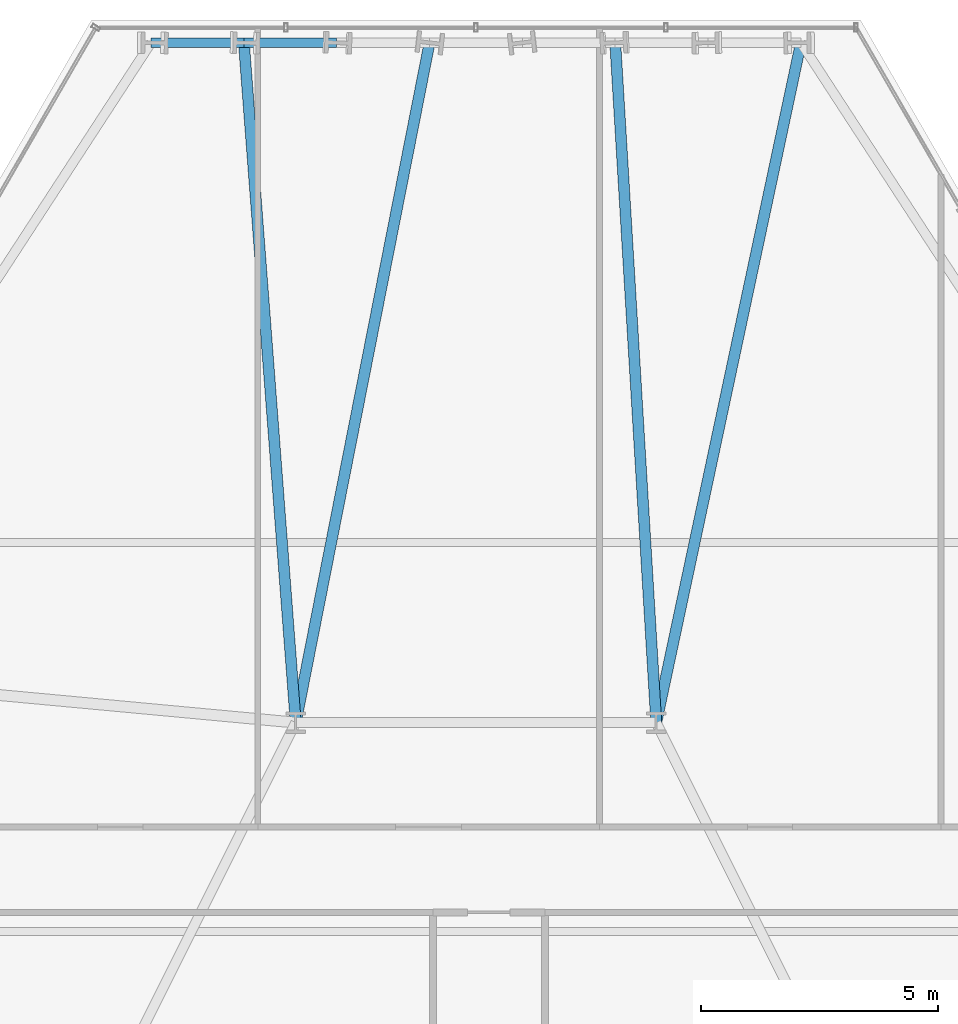
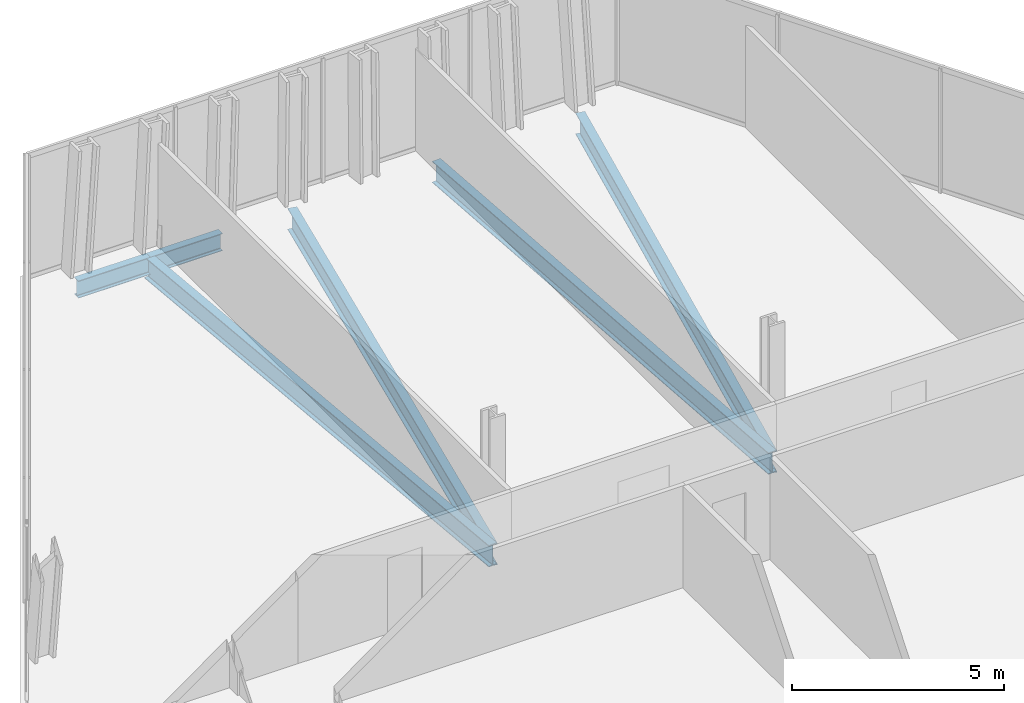
# One storey, part 21 of 32: 6 beams.
"""IFC4 building model written with IfcOpenShell, lengths in metres."""

import ifcopenshell
import ifcopenshell.guid

model = None  # the IFC model being written
_history = None  # IfcOwnerHistory: only IFC2X3 demands one
_inside = {}  # id of a spatial element -> (the spatial element, [elements in it])
_under = {}  # id of a project, library or spatial element -> (it, [spatial elements below it])
_declared = {}  # id of a project -> (the project, [libraries it declares])
_typed = {}  # id of a type object -> (the type object, [elements of that type])
_made_of = {}  # id of a material, layer set ... -> (it, [elements and type objects made of it])


def new_model(schema):
    """Start an empty IFC model of exactly this schema.

    Asked for "IFC4X3", IfcOpenShell would pick the latest addendum, in which some entities
    have other attributes; the version numbers below select the first issue.
    IFC2X3 requires an IfcOwnerHistory on every rooted entity: one is made here for all.
    """
    global model, _history
    if schema == "IFC4X3":
        model = ifcopenshell.file(schema_version=(4, 3, 0, 0))
    else:
        model = ifcopenshell.file(schema=schema)
    _inside.clear()
    _under.clear()
    _declared.clear()
    _typed.clear()
    _made_of.clear()
    _history = None
    if model.schema == "IFC2X3":
        org = make("IfcOrganization", Name="unknown")
        user = make(
            "IfcPersonAndOrganization",
            ThePerson=make("IfcPerson", FamilyName="unknown"),
            TheOrganization=org,
        )
        app = make(
            "IfcApplication",
            ApplicationDeveloper=org,
            Version="unknown",
            ApplicationFullName="unknown",
            ApplicationIdentifier="unknown",
        )
        _history = make(
            "IfcOwnerHistory",
            OwningUser=user,
            OwningApplication=app,
            ChangeAction="ADDED",
            CreationDate=0,
        )
    return model


def make(cls, **values):
    """One entity of the class cls with the attributes given. An attribute that is None is left unset."""
    return model.create_entity(
        cls, **{name: value for name, value in values.items() if value is not None}
    )


def rooted(cls, **values):
    """An entity with a GlobalId (a new one), such as an element, a storey or a relation."""
    return make(cls, GlobalId=ifcopenshell.guid.new(), OwnerHistory=_history, **values)


def si_unit(unit_type, name, prefix=None):
    """IfcSIUnit, for example si_unit("LENGTHUNIT", "METRE", prefix="MILLI")."""
    return make("IfcSIUnit", UnitType=unit_type, Prefix=prefix, Name=name)


def assignment(units):
    """IfcUnitAssignment: the units of a project."""
    return None if units is None else make("IfcUnitAssignment", Units=units)


def point(xyz):
    """IfcCartesianPoint."""
    return None if xyz is None else make("IfcCartesianPoint", Coordinates=xyz)


def direction(xyz):
    """IfcDirection."""
    return None if xyz is None else make("IfcDirection", DirectionRatios=xyz)


def frame(location, z_axis=None, x_axis=None):
    """IfcAxis2Placement3D, a coordinate frame: its origin and axes. An axis left out is left unset."""
    return make(
        "IfcAxis2Placement3D",
        Location=point(location),
        Axis=direction(z_axis),
        RefDirection=direction(x_axis),
    )


def frame_2d(location, x_axis=None):
    """IfcAxis2Placement2D, a coordinate frame in the plane: its origin and x axis."""
    return make(
        "IfcAxis2Placement2D", Location=point(location), RefDirection=direction(x_axis)
    )


def origin():
    """The frame at (0, 0, 0) with its axes left unset."""
    return frame((0.0, 0.0, 0.0))


def origin_2d():
    """The frame at (0, 0) in the plane with its x axis left unset."""
    return frame_2d((0.0, 0.0))


def place(relative_to, where):
    """IfcLocalPlacement: puts the frame where relative to a parent placement (None: the world)."""
    return make(
        "IfcLocalPlacement", PlacementRelTo=relative_to, RelativePlacement=where
    )


def context(
    kind, dimensions, precision=None, world=None, true_north=None, identifier=None
):
    """IfcGeometricRepresentationContext, for example the 3D "Model" context."""
    return make(
        "IfcGeometricRepresentationContext",
        ContextIdentifier=identifier,
        ContextType=kind,
        CoordinateSpaceDimension=dimensions,
        Precision=precision,
        WorldCoordinateSystem=world,
        TrueNorth=true_north,
    )


def subcontext(parent, identifier, kind, view, scale=None):
    """IfcGeometricRepresentationSubContext, for example "Body" below "Model"."""
    return make(
        "IfcGeometricRepresentationSubContext",
        ContextIdentifier=identifier,
        ContextType=kind,
        ParentContext=parent,
        TargetScale=scale,
        TargetView=view,
    )


def project(units=None, contexts=None):
    """IfcProject with its units and contexts."""
    return rooted(
        "IfcProject",
        Name="project",
        RepresentationContexts=contexts,
        UnitsInContext=assignment(units),
    )


def spatial(cls, under=None, at=None, **own):
    """A site, building, storey or space (cls), placed at a placement, below another one or the project."""
    s = rooted(cls, ObjectPlacement=at, **own)
    if under is not None:
        _under.setdefault(under.id(), (under, []))[1].append(s)
    return s


def profile(cls, at=None, kind="AREA", **sizes):
    """A parametric profile (cls). Its sizes go by their IFC names, for example OverallWidth=200.0."""
    return make(cls, ProfileType=kind, Position=at, **sizes)


def i_section(**sizes):
    """IfcIShapeProfileDef."""
    return profile("IfcIShapeProfileDef", **sizes)


def extrude(swept, where, along, depth):
    """IfcExtrudedAreaSolid: the profile swept, set in the frame where, extruded along a direction by depth."""
    return make(
        "IfcExtrudedAreaSolid",
        SweptArea=swept,
        Position=where,
        ExtrudedDirection=direction(along),
        Depth=depth,
    )


def shape(context_of_items, identifier, shape_type, items):
    """IfcShapeRepresentation: the items that make up one representation, for example the "Body"."""
    return make(
        "IfcShapeRepresentation",
        ContextOfItems=context_of_items,
        RepresentationIdentifier=identifier,
        RepresentationType=shape_type,
        Items=items,
    )


def material(Name=None, Category=None):
    """IfcMaterial."""
    return make("IfcMaterial", Name=Name, Category=Category)


def material_profile(
    of_material, cross_section, Name=None, Category=None, Priority=None
):
    """IfcMaterialProfile: a cross section and its material."""
    return make(
        "IfcMaterialProfile",
        Name=Name,
        Material=of_material,
        Profile=cross_section,
        Priority=Priority,
        Category=Category,
    )


def profile_set(profiles, Name=None, composite=None):
    """IfcMaterialProfileSet."""
    return make(
        "IfcMaterialProfileSet",
        Name=Name,
        MaterialProfiles=profiles,
        CompositeProfile=composite,
    )


def made_of(thing, what):
    """Note that an element or type object is made of a material, layer set ...; save() writes the relation."""
    if what is not None:
        _made_of.setdefault(what.id(), (what, []))[1].append(thing)
    return thing


def type_object(cls, material=None, **own):
    """A type object (cls), such as IfcWallType, which elements share."""
    return made_of(rooted(cls, **own), material)


def element(
    cls,
    number,
    at=None,
    inside=None,
    cuts=None,
    type_object=None,
    material=None,
    context=None,
    identifier="Body",
    shape_type=None,
    held_by="IfcProductDefinitionShape",
    body=None,
    shapes=None,
    **own,
):
    """One element of the class cls, such as IfcWall. Its Tag is "e" and its number.

    at: its placement. inside: the storey or other place that contains it. cuts: it is an
    opening in that element (IfcRelVoidsElement). A single representation is given by context,
    identifier, shape_type and body (its items); several are given by shapes. held_by: the class
    of the entity that holds the representations. save() writes the other relations.
    """
    e = rooted(cls, Tag="e%d" % number, ObjectPlacement=at, **own)
    if body is not None:
        shapes = [shape(context, identifier, shape_type, body)]
    if shapes is not None:
        e.Representation = make(held_by, Representations=shapes)
    if inside is not None:
        _inside.setdefault(inside.id(), (inside, []))[1].append(e)
    if cuts is not None:
        rooted(
            "IfcRelVoidsElement", RelatingBuildingElement=cuts, RelatedOpeningElement=e
        )
    if type_object is not None:
        _typed.setdefault(type_object.id(), (type_object, []))[1].append(e)
    return made_of(e, material)


def aggregate(whole, parts):
    """IfcRelAggregates: a whole, such as a stair, and the parts it consists of."""
    return rooted("IfcRelAggregates", RelatingObject=whole, RelatedObjects=parts)


def save(model, path):
    """Write the relations noted so far, then the file.

    IfcRelAggregates (storeys below a building ...), IfcRelContainedInSpatialStructure (elements
    in a storey), IfcRelDefinesByType, IfcRelAssociatesMaterial and IfcRelDeclares: one each for
    every whole, place, type object, material and project.
    """
    for whole, parts in _under.values():
        aggregate(whole, parts)
    for where, things in _inside.values():
        rooted(
            "IfcRelContainedInSpatialStructure",
            RelatedElements=things,
            RelatingStructure=where,
        )
    for kind, things in _typed.values():
        rooted("IfcRelDefinesByType", RelatedObjects=things, RelatingType=kind)
    for what, things in _made_of.values():
        rooted("IfcRelAssociatesMaterial", RelatedObjects=things, RelatingMaterial=what)
    for by, libraries in _declared.values():
        rooted("IfcRelDeclares", RelatingContext=by, RelatedDefinitions=libraries)
    model.write(path)


model = new_model("IFC4")

# Units and contexts
model_context = context("Model", 3, precision=1e-05, world=origin(), true_north=direction((0.0, 1.0)))
body_context = subcontext(model_context, "Body", "Model", "MODEL_VIEW")
ifc_project = project(units=[si_unit("LENGTHUNIT", "METRE"), si_unit("AREAUNIT", "SQUARE_METRE"), si_unit("VOLUMEUNIT", "CUBIC_METRE"), si_unit("PLANEANGLEUNIT", "RADIAN"), si_unit("MASSUNIT", "GRAM", prefix="KILO")], contexts=[model_context])

# Site, building, storey
site_placement = place(None, origin())
site = spatial("IfcSite", under=ifc_project, at=site_placement, CompositionType="ELEMENT")
building_placement = place(site_placement, origin())
building = spatial("IfcBuilding", under=site, at=building_placement, Name="Ndaravel Arena Tower", CompositionType="ELEMENT")
storey_placement = place(building_placement, frame((0.0, 0.0, 55.0)))
storey = spatial("IfcBuildingStorey", under=building, at=storey_placement, Name="L11", CompositionType="ELEMENT", Elevation=55.0)

# Beams
ifc_material_1 = material(Name="Steel S355", Category="steel")
ifc_material_profile_1 = material_profile(ifc_material_1, i_section(OverallWidth=0.230224609375, OverallDepth=0.6171875, WebThickness=0.01318359375, FlangeThickness=0.022216796875, FilletRadius=0.0126953125, at=origin_2d()), Name="UB 610x229x140")
ifc_profile_set_1 = profile_set([ifc_material_profile_1], Name="Steel S355")
beam_type_1 = type_object("IfcBeamType", Name="BM-GIRD-UB610B", PredefinedType="BEAM", material=ifc_profile_set_1)
beam_1_placement = place(storey_placement, frame((48.85009765625, 45.531494140625, -0.528564453125), z_axis=(-0.208158857039, -0.978095031291, 0.0), x_axis=(0.978095031291, -0.208158857039, 0.0)))
element("IfcBeam", 1, at=beam_1_placement, inside=storey, type_object=beam_type_1, Name="L11 Radial Floor Girder FG-11", PredefinedType="BEAM", context=body_context, shape_type="SweptSolid", body=[
    extrude(i_section(OverallWidth=0.230224609375, OverallDepth=0.6171875, WebThickness=0.01318359375, FlangeThickness=0.022216796875, FilletRadius=0.0126953125, at=origin_2d()), origin(), (0.0, 0.0, 1.0), 14.652587890625),
])
beam_2_placement = place(storey_placement, frame((44.935791015625, 45.531494140625, -0.528564453125), z_axis=(0.060195234309, -0.998186622715, 0.0), x_axis=(0.998186622715, 0.060195234309, 0.0)))
element("IfcBeam", 2, at=beam_2_placement, inside=storey, type_object=beam_type_1, Name="L11 Radial Floor Girder FG-13", PredefinedType="BEAM", context=body_context, shape_type="SweptSolid", body=[
    extrude(i_section(OverallWidth=0.230224609375, OverallDepth=0.6171875, WebThickness=0.01318359375, FlangeThickness=0.022216796875, FilletRadius=0.0126953125, at=origin_2d()), origin(), (0.0, 0.0, 1.0), 14.357666015625),
])
beam_3_placement = place(storey_placement, frame((41.021484375, 45.531494140625, -0.528564453125), z_axis=(-0.193167737889, -0.981165747995, 0.0), x_axis=(0.981165747995, -0.193167737889, 0.0)))
element("IfcBeam", 3, at=beam_3_placement, inside=storey, type_object=beam_type_1, Name="L11 Radial Floor Girder FG-15", PredefinedType="BEAM", context=body_context, shape_type="SweptSolid", body=[
    extrude(i_section(OverallWidth=0.230224609375, OverallDepth=0.6171875, WebThickness=0.01318359375, FlangeThickness=0.022216796875, FilletRadius=0.0126953125, at=origin_2d()), origin(), (0.0, 0.0, 1.0), 14.606689453125),
])
beam_4_placement = place(storey_placement, frame((37.107177734375, 45.531494140625, -0.528564453125), z_axis=(0.07602883636, -0.997105619301, 0.0), x_axis=(0.997105619301, 0.07602883636, 0.0)))
element("IfcBeam", 4, at=beam_4_placement, inside=storey, type_object=beam_type_1, Name="L11 Radial Floor Girder FG-17", PredefinedType="BEAM", context=body_context, shape_type="SweptSolid", body=[
    extrude(i_section(OverallWidth=0.230224609375, OverallDepth=0.6171875, WebThickness=0.01318359375, FlangeThickness=0.022216796875, FilletRadius=0.0126953125, at=origin_2d()), origin(), (0.0, 0.0, 1.0), 14.373046875),
])
ifc_material_2 = material(Name="Steel S355", Category="steel")
ifc_material_profile_2 = material_profile(ifc_material_2, i_section(OverallWidth=0.199951171875, OverallDepth=0.5, WebThickness=0.01025390625, FlangeThickness=0.01611328125, FilletRadius=0.02099609375, at=origin_2d()), Name="IPE 500")
ifc_profile_set_2 = profile_set([ifc_material_profile_2], Name="Steel S355")
beam_type_2 = type_object("IfcBeamType", Name="BM-SPAN-IPE500", PredefinedType="SPANDREL", material=ifc_profile_set_2)
beam_5_placement = place(storey_placement, frame((39.064208984375, 45.531494140625, -0.469970703125), z_axis=(-1.0, 0.0, 0.0), x_axis=(0.0, -1.0, 0.0)))
element("IfcBeam", 5, at=beam_5_placement, inside=storey, type_object=beam_type_2, Name="L11 Perimeter Spandrel Beam SP-16", PredefinedType="SPANDREL", context=body_context, shape_type="SweptSolid", body=[
    extrude(i_section(OverallWidth=0.199951171875, OverallDepth=0.5, WebThickness=0.01025390625, FlangeThickness=0.01611328125, FilletRadius=0.02099609375, at=origin_2d()), origin(), (0.0, 0.0, 1.0), 1.95703125),
])
beam_6_placement = place(storey_placement, frame((37.107177734375, 45.531494140625, -0.469970703125), z_axis=(-1.0, 0.0, 0.0), x_axis=(0.0, -1.0, 0.0)))
element("IfcBeam", 6, at=beam_6_placement, inside=storey, type_object=beam_type_2, Name="L11 Perimeter Spandrel Beam SP-17", PredefinedType="SPANDREL", context=body_context, shape_type="SweptSolid", body=[
    extrude(i_section(OverallWidth=0.199951171875, OverallDepth=0.5, WebThickness=0.01025390625, FlangeThickness=0.01611328125, FilletRadius=0.02099609375, at=origin_2d()), origin(), (0.0, 0.0, 1.0), 1.957275390625),
])

save(model, "model.ifc")
